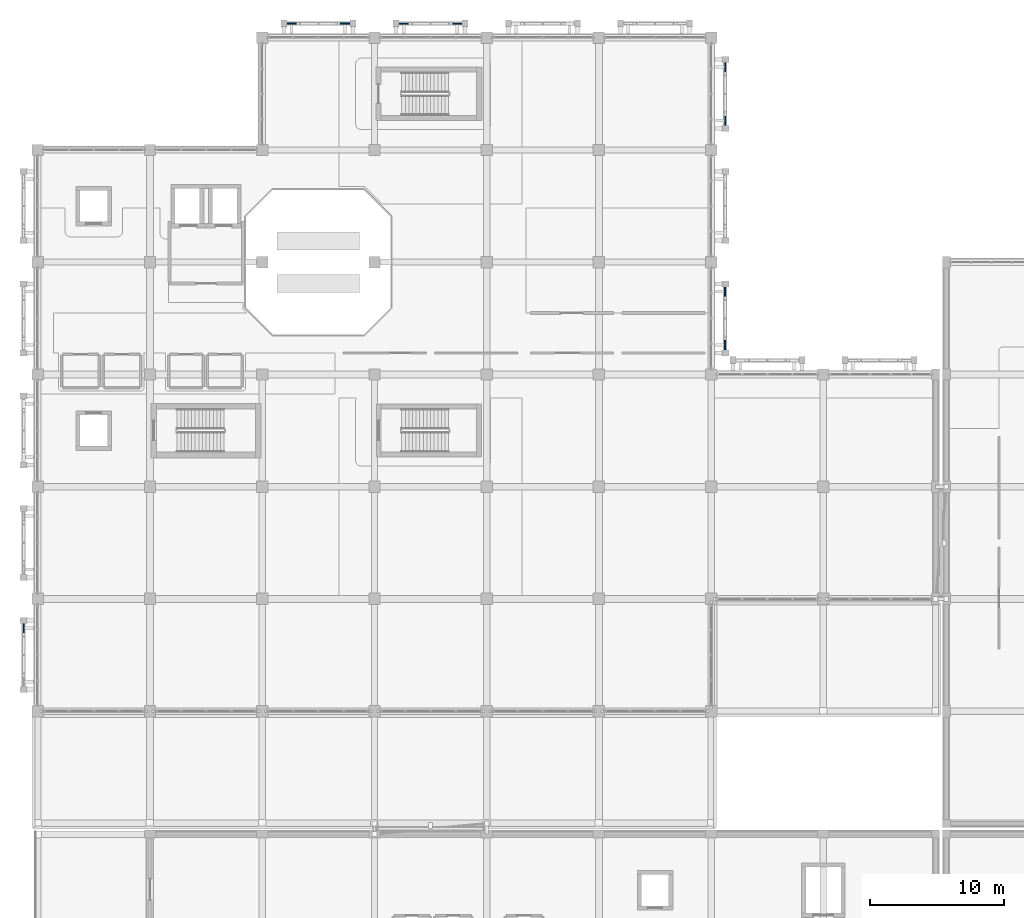
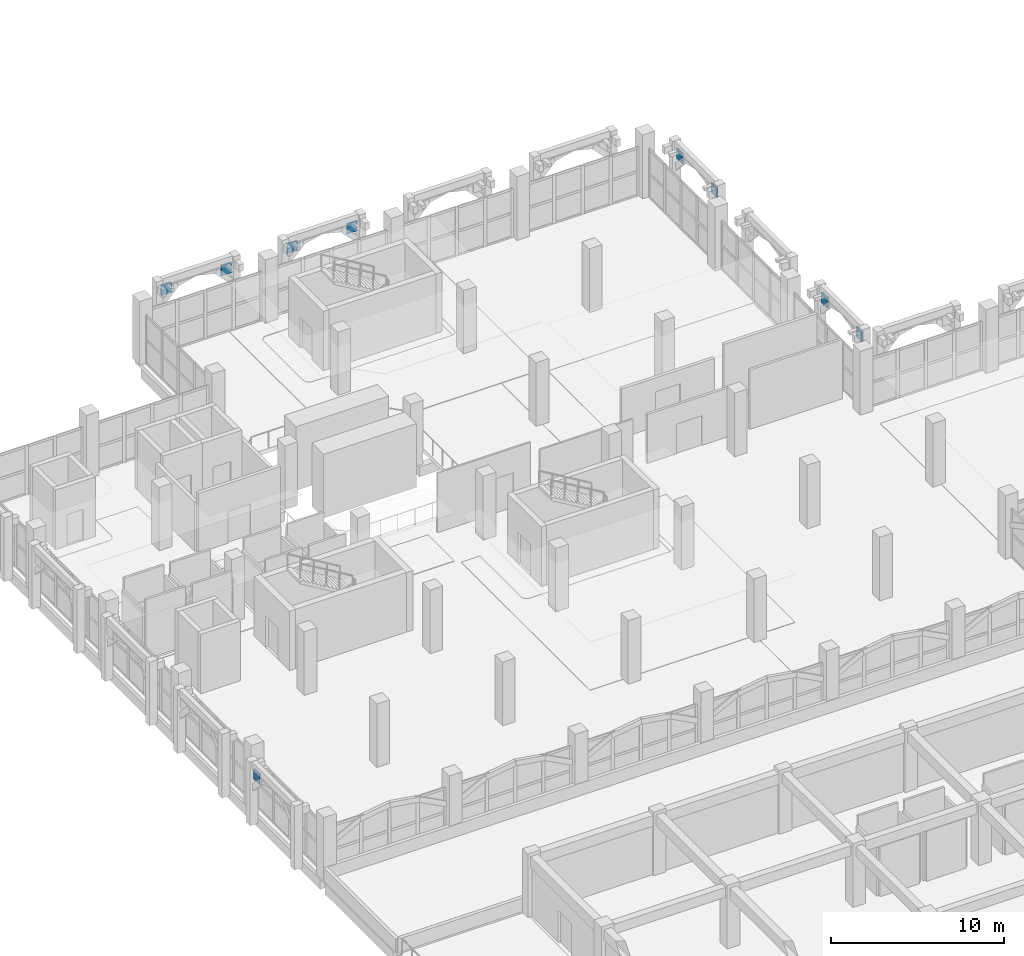
# One storey, part 105 of 129: 9 plates.
"""IFC4 building model written with IfcOpenShell, lengths in metres."""

from ifc_helpers import new_model, si_unit, direction, frame, origin, origin_2d, place, context, subcontext, project, spatial, rectangle, extrude, material, layer, layer_set, type_object, element, save


model = new_model("IFC4")

# Units and contexts
model_context = context("Model", 3, precision=1e-05, world=origin(), true_north=direction((0.0, 1.0)))
body_context = subcontext(model_context, "Body", "Model", "MODEL_VIEW")
ifc_project = project(units=[si_unit("LENGTHUNIT", "METRE"), si_unit("AREAUNIT", "SQUARE_METRE"), si_unit("VOLUMEUNIT", "CUBIC_METRE"), si_unit("PLANEANGLEUNIT", "RADIAN"), si_unit("MASSUNIT", "GRAM", prefix="KILO")], contexts=[model_context])

# Site, building, storey
site_placement = place(None, origin())
site = spatial("IfcSite", under=ifc_project, at=site_placement, CompositionType="ELEMENT")
building_placement = place(site_placement, origin())
building = spatial("IfcBuilding", under=site, at=building_placement, Name="Xazarin Passage Department Store", CompositionType="ELEMENT")
storey_placement = place(building_placement, frame((0.0, 0.0, 9.89990234375)))
storey = spatial("IfcBuildingStorey", under=building, at=storey_placement, Name="L02", CompositionType="ELEMENT", Elevation=9.89990234375)

# Plates
ifc_material = material(Name="Precast concrete C40/50", Category="concrete")
ifc_layer_1 = layer(ifc_material, 0.080078125)
ifc_layer_set_1 = layer_set([ifc_layer_1], Name="Precast concrete C40/50")
plate_type_1 = type_object("IfcPlateType", Name="ARC-PLT-SCR-01", PredefinedType="USERDEFINED", material=ifc_layer_set_1)
for number, where, z_axis, x_axis, name in (
    (1, (27.39990234375, 111.050048828125, 3.26025390625), (0.0, 0.0, 1.0), (1.0, 0.0, 0.0), "L02 V1 Arch Spandrel Tympanum 0021"),
    (2, (31.39990234375, 111.050048828125, 3.26025390625), (0.0, 0.0, 1.0), (1.0, 0.0, 0.0), "L02 V1 Arch Spandrel Tympanum 0022"),
    (3, (-1.050048828125, 65.800048828125, 3.26025390625), (0.0, 0.0, 1.0), (0.0, 1.0, 0.0), "L02 V1 Arch Spandrel Tympanum 0082"),
    (4, (51.449951171875, 103.800048828125, 3.26025390625), (0.0, 0.0, 1.0), (0.0, 1.0, 0.0), "L02 V1 Arch Spandrel Tympanum 0161"),
    (5, (51.449951171875, 107.800048828125, 3.26025390625), (0.0, 0.0, 1.0), (0.0, 1.0, 0.0), "L02 V1 Arch Spandrel Tympanum 0162"),
):
    element("IfcPlate", number, at=place(storey_placement, frame(where, z_axis=z_axis, x_axis=x_axis)), inside=storey, type_object=plate_type_1, Name=name, ObjectType="SCREEN PANEL", PredefinedType="USERDEFINED", context=body_context, shape_type="SweptSolid", body=[
        extrude(rectangle(XDim=0.679931640625, YDim=0.080078125, at=origin_2d()), origin(), (0.0, 0.0, 1.0), 0.719970703125),
    ])
ifc_layer_2 = layer(ifc_material, 0.1201171875)
ifc_layer_set_2 = layer_set([ifc_layer_2], Name="Precast concrete C40/50")
plate_type_2 = type_object("IfcPlateType", Name="ARC-PLT-SCR-05", PredefinedType="USERDEFINED", material=ifc_layer_set_2)
for number, where, z_axis, x_axis, name in (
    (6, (19.0, 111.050048828125, 3.26025390625), (0.0, 0.0, 1.0), (1.0, 0.0, 0.0), "L02 V1 Arch Spandrel Tympanum 0005"),
    (7, (23.0, 111.050048828125, 3.26025390625), (0.0, 0.0, 1.0), (1.0, 0.0, 0.0), "L02 V1 Arch Spandrel Tympanum 0006"),
    (8, (51.449951171875, 87.0, 3.26025390625), (0.0, 0.0, 1.0), (0.0, 1.0, 0.0), "L02 V1 Arch Spandrel Tympanum 0145"),
    (9, (51.449951171875, 91.0, 3.26025390625), (0.0, 0.0, 1.0), (0.0, 1.0, 0.0), "L02 V1 Arch Spandrel Tympanum 0146"),
):
    element("IfcPlate", number, at=place(storey_placement, frame(where, z_axis=z_axis, x_axis=x_axis)), inside=storey, type_object=plate_type_2, Name=name, ObjectType="SCREEN PANEL", PredefinedType="USERDEFINED", context=body_context, shape_type="SweptSolid", body=[
        extrude(rectangle(XDim=0.679931640625, YDim=0.1201171875, at=origin_2d()), origin(), (0.0, 0.0, 1.0), 0.719970703125),
    ])

save(model, "model.ifc")
